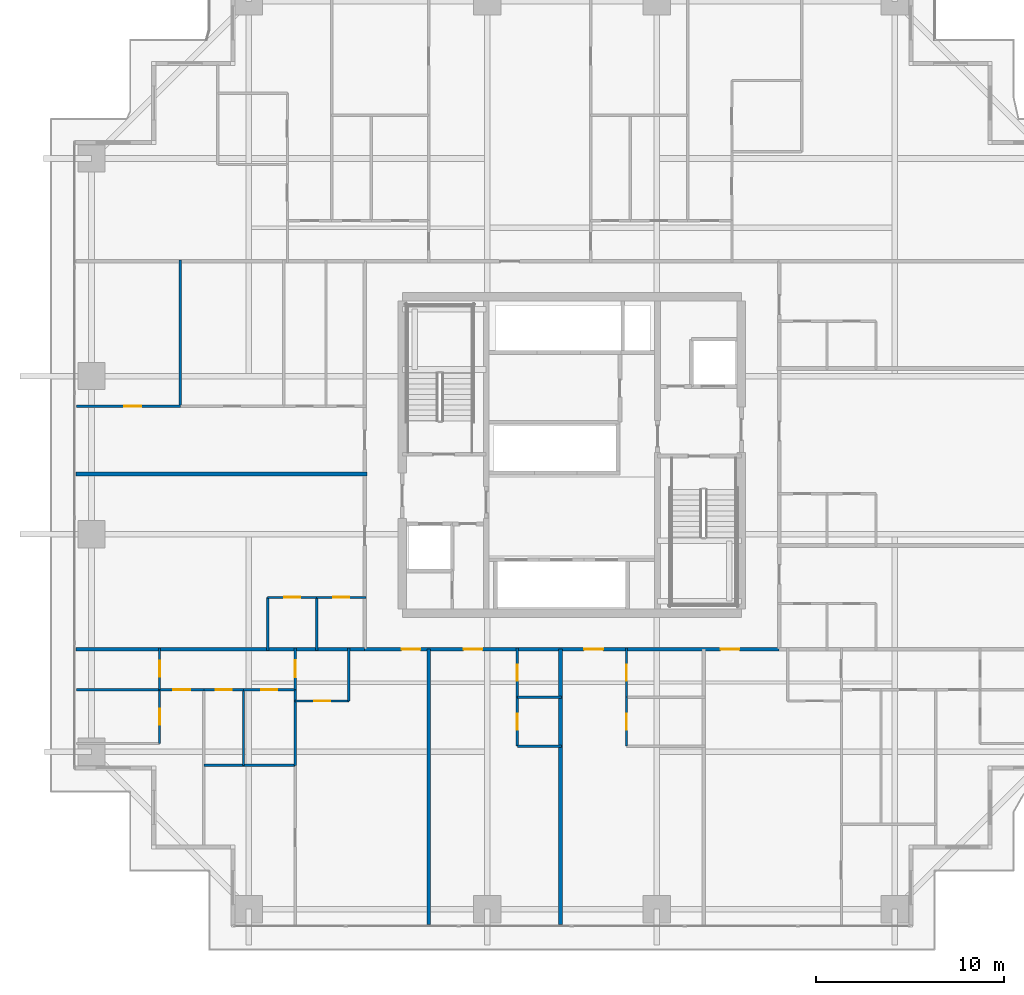
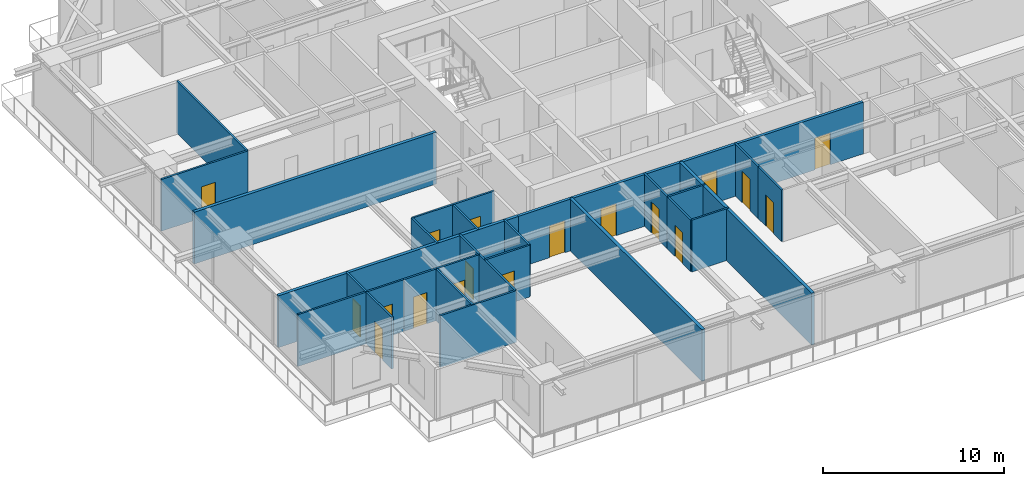
# One storey, part 27 of 38: 29 walls, 18 doors, 18 openings.
"""IFC4 building model written with IfcOpenShell, lengths in metres."""

from ifc_helpers import new_model, si_unit, direction, frame, frame_2d, origin, place, context, subcontext, project, spatial, rectangle, extrude, source, transform, mapped, material, layer, layer_set, type_object, element, fill, save


model = new_model("IFC4")

# Units and contexts
model_context = context("Model", 3, precision=1e-05, world=origin(), true_north=direction((0.0, 1.0)))
body_context = subcontext(model_context, "Body", "Model", "MODEL_VIEW")
ifc_project = project(units=[si_unit("LENGTHUNIT", "METRE"), si_unit("AREAUNIT", "SQUARE_METRE"), si_unit("VOLUMEUNIT", "CUBIC_METRE"), si_unit("PLANEANGLEUNIT", "RADIAN"), si_unit("MASSUNIT", "GRAM", prefix="KILO")], contexts=[model_context])

# Site, building, storey
site_placement = place(None, origin())
site = spatial("IfcSite", under=ifc_project, at=site_placement, CompositionType="ELEMENT")
building_placement = place(site_placement, origin())
building = spatial("IfcBuilding", under=site, at=building_placement, Name="Serunith Strait Residences", CompositionType="ELEMENT")
storey_placement = place(building_placement, frame((0.0, 0.0, 67.949951171875)))
storey = spatial("IfcBuildingStorey", under=building, at=storey_placement, Name="L16", CompositionType="ELEMENT", Elevation=67.949951171875)

# Wall, openings, doors
ifc_material_1 = material(Name="Fire-rated acoustic gypsum partition")
ifc_layer_1 = layer(ifc_material_1, 0.179931640625, Name="Fire-rated acoustic gypsum partition")
ifc_layer_set_1 = layer_set([ifc_layer_1], Name="Fire-rated acoustic gypsum partition")
wall_type_1 = type_object("IfcWallType", Name="IW-CORR-180", PredefinedType="PARTITIONING", material=ifc_layer_set_1)
wall_1_placement = place(storey_placement, frame((21.402099609375, 14.89990234375, 0.0), z_axis=(0.0, 0.0, 1.0), x_axis=(1.0, 0.0, 0.0)))
wall_1 = element("IfcWall", 1, at=wall_1_placement, inside=storey, type_object=wall_type_1, Name="L16 Partition Wall 024", PredefinedType="PARTITIONING", context=body_context, shape_type="SweptSolid", body=[
    extrude(rectangle(XDim=21.995849609375, YDim=0.179931640625, at=frame_2d((10.998046875, 0.0))), origin(), (0.0, 0.0, 1.0), 3.489990234375),
])
opening_1_placement = place(wall_1_placement, frame((1.9599609375, 0.0, 0.0)))
opening_1 = element("IfcOpeningElement", 2, at=opening_1_placement, cuts=wall_1, Name="Opening D-APT1000", PredefinedType="OPENING", context=body_context, shape_type="SweptSolid", body=[
    extrude(rectangle(XDim=1.0, YDim=2.14990234375, at=frame_2d((0.5, 1.074951171875))), frame((0.0, 0.10009765625, 0.0), z_axis=(0.0, -1.0, 0.0), x_axis=(1.0, 0.0, 0.0)), (0.0, 0.0, 1.0), 0.199951171875),
])
opening_2_placement = place(wall_1_placement, frame((5.2490234375, 0.0, 0.0)))
opening_2 = element("IfcOpeningElement", 3, at=opening_2_placement, cuts=wall_1, Name="Opening D-APT1000", PredefinedType="OPENING", context=body_context, shape_type="SweptSolid", body=[
    extrude(rectangle(XDim=1.0, YDim=2.14990234375, at=frame_2d((0.5, 1.074951171875))), frame((0.0, 0.10009765625, 0.0), z_axis=(0.0, -1.0, 0.0), x_axis=(1.0, 0.0, 0.0)), (0.0, 0.0, 1.0), 0.199951171875),
])
opening_3_placement = place(wall_1_placement, frame((11.653076171875, 0.0, 0.0)))
opening_3 = element("IfcOpeningElement", 4, at=opening_3_placement, cuts=wall_1, Name="Opening D-APT1000", PredefinedType="OPENING", context=body_context, shape_type="SweptSolid", body=[
    extrude(rectangle(XDim=1.0, YDim=2.14990234375, at=frame_2d((0.5, 1.074951171875))), frame((0.0, 0.10009765625, 0.0), z_axis=(0.0, -1.0, 0.0), x_axis=(1.0, 0.0, 0.0)), (0.0, 0.0, 1.0), 0.199951171875),
])
opening_4_placement = place(wall_1_placement, frame((18.89599609375, 0.0, 0.0)))
opening_4 = element("IfcOpeningElement", 5, at=opening_4_placement, cuts=wall_1, Name="Opening D-APT1000", PredefinedType="OPENING", context=body_context, shape_type="SweptSolid", body=[
    extrude(rectangle(XDim=1.0, YDim=2.14990234375, at=frame_2d((0.5, 1.074951171875))), frame((0.0, 0.10009765625, 0.0), z_axis=(0.0, -1.0, 0.0), x_axis=(1.0, 0.0, 0.0)), (0.0, 0.0, 1.0), 0.199951171875),
])
ifc_material_2 = material(Name="Solid timber engineered fire door", Category="wood")
door_type_1 = type_object("IfcDoorType", Name="ID-APT-1000", OperationType="NOTDEFINED", PredefinedType="DOOR", material=ifc_material_2)
shared_shape_1 = source(origin(), body_context, "Body", "SweptSolid", [
    extrude(rectangle(XDim=1.0, YDim=2.14990234375, at=frame_2d((0.5, 1.074951171875))), frame((0.0, 0.02490234375, 0.0), z_axis=(0.0, -1.0, 0.0), x_axis=(1.0, 0.0, 0.0)), (0.0, 0.0, 1.0), 0.050048828125),
])
door_1_placement = place(opening_1_placement, origin())
door_1 = element("IfcDoor", 6, at=door_1_placement, inside=storey, type_object=door_type_1, Name="L16 Unit 01 Entrance Door", OperationType="SINGLE_SWING_RIGHT", OverallHeight=2.14990234375, OverallWidth=1.0, PredefinedType="DOOR", context=body_context, shape_type="MappedRepresentation", body=[
    mapped(shared_shape_1, transform((0.0, 0.0, 0.0), scale=1.0)),
])
fill(opening_1, door_1)
door_2_placement = place(opening_2_placement, origin())
door_2 = element("IfcDoor", 7, at=door_2_placement, inside=storey, type_object=door_type_1, Name="L16 Unit 02 Entrance Door", OperationType="SINGLE_SWING_LEFT", OverallHeight=2.14990234375, OverallWidth=1.0, PredefinedType="DOOR", context=body_context, shape_type="MappedRepresentation", body=[
    mapped(shared_shape_1, transform((0.0, 0.0, 0.0), scale=1.0)),
])
fill(opening_2, door_2)
door_3_placement = place(opening_3_placement, origin())
door_3 = element("IfcDoor", 8, at=door_3_placement, inside=storey, type_object=door_type_1, Name="L16 Unit 03 Entrance Door", OperationType="SINGLE_SWING_RIGHT", OverallHeight=2.14990234375, OverallWidth=1.0, PredefinedType="DOOR", context=body_context, shape_type="MappedRepresentation", body=[
    mapped(shared_shape_1, transform((0.0, 0.0, 0.0), scale=1.0)),
])
fill(opening_3, door_3)
door_4_placement = place(opening_4_placement, origin())
door_4 = element("IfcDoor", 9, at=door_4_placement, inside=storey, type_object=door_type_1, Name="L16 Unit 04 Entrance Door", OperationType="SINGLE_SWING_LEFT", OverallHeight=2.14990234375, OverallWidth=1.0, PredefinedType="DOOR", context=body_context, shape_type="MappedRepresentation", body=[
    mapped(shared_shape_1, transform((0.0, 0.0, 0.0), scale=1.0)),
])
fill(opening_4, door_4)

# Wall, opening, door
ifc_material_3 = material(Name="Lightweight steel-stud gypsum partition", Category="steel")
ifc_layer_2 = layer(ifc_material_3, 0.1201171875, Name="Lightweight steel-stud gypsum partition")
ifc_layer_set_2 = layer_set([ifc_layer_2], Name="Lightweight steel-stud gypsum partition")
wall_type_2 = type_object("IfcWallType", Name="IW-PART-120", PredefinedType="PARTITIONING", material=ifc_layer_set_2)
wall_2_placement = place(storey_placement, frame((17.7099609375, 12.14990234375, 0.0), z_axis=(0.0, 0.0, 1.0), x_axis=(1.0, 0.0, 0.0)))
wall_2 = element("IfcWall", 10, at=wall_2_placement, inside=storey, type_object=wall_type_2, Name="L16 Partition Wall 028", PredefinedType="PARTITIONING", context=body_context, shape_type="SweptSolid", body=[
    extrude(rectangle(XDim=2.85009765625, YDim=0.1201171875, at=frame_2d((1.425048828125, 0.0))), origin(), (0.0, 0.0, 1.0), 3.489990234375),
])
opening_5_placement = place(wall_2_placement, frame((1.0, 0.0, 0.0)))
opening_5 = element("IfcOpeningElement", 11, at=opening_5_placement, cuts=wall_2, Name="Opening D-RM850", PredefinedType="OPENING", context=body_context, shape_type="SweptSolid", body=[
    extrude(rectangle(XDim=0.85009765625, YDim=2.10009765625, at=frame_2d((0.425048828125, 1.050048828125))), frame((0.0, 0.070068359375, 0.0), z_axis=(0.0, -1.0, 0.0), x_axis=(1.0, 0.0, 0.0)), (0.0, 0.0, 1.0), 0.14013671875),
])
ifc_material_4 = material(Name="Engineered timber flush study and kitchen door", Category="wood")
door_type_2 = type_object("IfcDoorType", Name="ID-ROOM-850", OperationType="NOTDEFINED", PredefinedType="DOOR", material=ifc_material_4)
shared_shape_2 = source(origin(), body_context, "Body", "SweptSolid", [
    extrude(rectangle(XDim=0.85009765625, YDim=2.10009765625, at=frame_2d((0.425048828125, 1.050048828125))), frame((0.0, 0.02490234375, 0.0), z_axis=(0.0, -1.0, 0.0), x_axis=(1.0, 0.0, 0.0)), (0.0, 0.0, 1.0), 0.050048828125),
])
door_5_placement = place(opening_5_placement, origin())
door_5 = element("IfcDoor", 12, at=door_5_placement, inside=storey, type_object=door_type_2, Name="L16 Kitchen 1601 Door", OperationType="SINGLE_SWING_RIGHT", OverallHeight=2.10009765625, OverallWidth=0.85009765625, PredefinedType="DOOR", context=body_context, shape_type="MappedRepresentation", body=[
    mapped(shared_shape_2, transform((0.0, 0.0, 0.0), scale=1.0)),
])
fill(opening_5, door_5)

# Wall
wall_3_placement = place(storey_placement, frame((20.56005859375, 12.14990234375, 0.0), z_axis=(0.0, 0.0, 1.0), x_axis=(0.0, 1.0, 0.0)))
element("IfcWall", 13, at=wall_3_placement, inside=storey, type_object=wall_type_2, Name="L16 Partition Wall 029", PredefinedType="PARTITIONING", context=body_context, shape_type="SweptSolid", body=[
    extrude(rectangle(XDim=2.81005859375, YDim=0.1201171875, at=frame_2d((1.405029296875, 0.0))), origin(), (0.0, 0.0, 1.0), 3.489990234375),
])

# Wall, opening, door
wall_4_placement = place(storey_placement, frame((17.7099609375, 12.75, 0.0), z_axis=(0.0, 0.0, 1.0), x_axis=(0.0, 1.0, 0.0)))
wall_4 = element("IfcWall", 14, at=wall_4_placement, inside=storey, type_object=wall_type_2, Name="L16 Partition Wall 030", PredefinedType="PARTITIONING", context=body_context, shape_type="SweptSolid", body=[
    extrude(rectangle(XDim=2.2099609375, YDim=0.1201171875, at=frame_2d((1.10498046875, 0.0))), origin(), (0.0, 0.0, 1.0), 3.489990234375),
])
opening_6_placement = place(wall_4_placement, frame((0.655029296875, 0.0, 0.0)))
opening_6 = element("IfcOpeningElement", 15, at=opening_6_placement, cuts=wall_4, Name="Opening D-RM900", PredefinedType="OPENING", context=body_context, shape_type="SweptSolid", body=[
    extrude(rectangle(XDim=0.89990234375, YDim=2.10009765625, at=frame_2d((0.449951171875, 1.050048828125))), frame((0.0, 0.070068359375, 0.0), z_axis=(0.0, -1.0, 0.0), x_axis=(1.0, 0.0, 0.0)), (0.0, 0.0, 1.0), 0.14013671875),
])
ifc_material_5 = material(Name="Engineered timber flush bedroom door", Category="wood")
door_type_3 = type_object("IfcDoorType", Name="ID-ROOM-900", OperationType="NOTDEFINED", PredefinedType="DOOR", material=ifc_material_5)
shared_shape_3 = source(origin(), body_context, "Body", "SweptSolid", [
    extrude(rectangle(XDim=0.89990234375, YDim=2.10009765625, at=frame_2d((0.449951171875, 1.050048828125))), frame((0.0, 0.02490234375, 0.0), z_axis=(0.0, -1.0, 0.0), x_axis=(1.0, 0.0, 0.0)), (0.0, 0.0, 1.0), 0.050048828125),
])
door_6_placement = place(opening_6_placement, origin())
door_6 = element("IfcDoor", 16, at=door_6_placement, inside=storey, type_object=door_type_3, Name="L16 Hall W 1601 Door", OperationType="SINGLE_SWING_LEFT", OverallHeight=2.10009765625, OverallWidth=0.89990234375, PredefinedType="DOOR", context=body_context, shape_type="MappedRepresentation", body=[
    mapped(shared_shape_3, transform((0.0, 0.0, 0.0), scale=1.0)),
])
fill(opening_6, door_6)

# Walls
wall_5_placement = place(storey_placement, frame((17.7099609375, 8.735107421875, 0.0), z_axis=(0.0, 0.0, 1.0), x_axis=(0.0, 1.0, 0.0)))
element("IfcWall", 17, at=wall_5_placement, inside=storey, type_object=wall_type_2, Name="L16 Partition Wall 032", PredefinedType="PARTITIONING", context=body_context, shape_type="SweptSolid", body=[
    extrude(rectangle(XDim=4.012939453125, YDim=0.1201171875, at=frame_2d((2.00634765625, 0.0))), origin(), (0.0, 0.0, 1.0), 3.489990234375),
])
wall_6_placement = place(storey_placement, frame((12.860107421875, 8.73291015625, 0.0), z_axis=(0.0, 0.0, 1.0), x_axis=(1.0, 0.0, 0.0)))
element("IfcWall", 18, at=wall_6_placement, inside=storey, type_object=wall_type_2, Name="L16 Partition Wall 033", PredefinedType="PARTITIONING", context=body_context, shape_type="SweptSolid", body=[
    extrude(rectangle(XDim=4.849853515625, YDim=0.1201171875, at=frame_2d((2.4248046875, 0.0))), origin(), (0.0, 0.0, 1.0), 3.489990234375),
])
wall_7_placement = place(storey_placement, frame((14.9599609375, 8.73291015625, 0.0), z_axis=(0.0, 0.0, 1.0), x_axis=(0.0, 1.0, 0.0)))
element("IfcWall", 19, at=wall_7_placement, inside=storey, type_object=wall_type_2, Name="L16 Partition Wall 035", PredefinedType="PARTITIONING", context=body_context, shape_type="SweptSolid", body=[
    extrude(rectangle(XDim=4.01708984375, YDim=0.1201171875, at=frame_2d((2.008544921875, 0.0))), origin(), (0.0, 0.0, 1.0), 3.489990234375),
])

# Wall, opening, door
wall_8_placement = place(storey_placement, frame((12.860107421875, 12.75, 0.0), z_axis=(0.0, 0.0, 1.0), x_axis=(1.0, 0.0, 0.0)))
wall_8 = element("IfcWall", 20, at=wall_8_placement, inside=storey, type_object=wall_type_2, Name="L16 Partition Wall 036", PredefinedType="PARTITIONING", context=body_context, shape_type="SweptSolid", body=[
    extrude(rectangle(XDim=2.099853515625, YDim=0.1201171875, at=frame_2d((1.0498046875, 0.0))), origin(), (0.0, 0.0, 1.0), 3.489990234375),
])
opening_7_placement = place(wall_8_placement, frame((0.625, 0.0, 0.0)))
opening_7 = element("IfcOpeningElement", 21, at=opening_7_placement, cuts=wall_8, Name="Opening D-BTH850", PredefinedType="OPENING", context=body_context, shape_type="SweptSolid", body=[
    extrude(rectangle(XDim=0.85009765625, YDim=2.10009765625, at=frame_2d((0.425048828125, 1.050048828125))), frame((0.0, 0.070068359375, 0.0), z_axis=(0.0, -1.0, 0.0), x_axis=(1.0, 0.0, 0.0)), (0.0, 0.0, 1.0), 0.14013671875),
])
ifc_material_6 = material(Name="Moisture-resistant timber bathroom door", Category="wood")
door_type_4 = type_object("IfcDoorType", Name="ID-BATH-850", OperationType="NOTDEFINED", PredefinedType="DOOR", material=ifc_material_6)
door_7_placement = place(opening_7_placement, origin())
door_7 = element("IfcDoor", 22, at=door_7_placement, inside=storey, type_object=door_type_4, Name="L16 Bathroom 1601 Door", OperationType="SINGLE_SWING_LEFT", OverallHeight=2.10009765625, OverallWidth=0.85009765625, PredefinedType="DOOR", context=body_context, shape_type="MappedRepresentation", body=[
    mapped(shared_shape_2, transform((0.0, 0.0, 0.0), scale=1.0)),
])
fill(opening_7, door_7)

wall_9_placement = place(storey_placement, frame((14.9619140625, 12.75, 0.0), z_axis=(0.0, 0.0, 1.0), x_axis=(1.0, 0.0, 0.0)))
wall_9 = element("IfcWall", 23, at=wall_9_placement, inside=storey, type_object=wall_type_2, Name="L16 Partition Wall 037", PredefinedType="PARTITIONING", context=body_context, shape_type="SweptSolid", body=[
    extrude(rectangle(XDim=2.748046875, YDim=0.1201171875, at=frame_2d((1.3740234375, 0.0))), origin(), (0.0, 0.0, 1.0), 3.489990234375),
])
opening_8_placement = place(wall_9_placement, frame((0.948974609375, 0.0, 0.0)))
opening_8 = element("IfcOpeningElement", 24, at=opening_8_placement, cuts=wall_9, Name="Opening D-RM850", PredefinedType="OPENING", context=body_context, shape_type="SweptSolid", body=[
    extrude(rectangle(XDim=0.85009765625, YDim=2.10009765625, at=frame_2d((0.425048828125, 1.050048828125))), frame((0.0, 0.070068359375, 0.0), z_axis=(0.0, -1.0, 0.0), x_axis=(1.0, 0.0, 0.0)), (0.0, 0.0, 1.0), 0.14013671875),
])
door_8_placement = place(opening_8_placement, origin())
door_8 = element("IfcDoor", 25, at=door_8_placement, inside=storey, type_object=door_type_2, Name="L16 Formal Dining Room 1601 Door", OperationType="SINGLE_SWING_RIGHT", OverallHeight=2.10009765625, OverallWidth=0.85009765625, PredefinedType="DOOR", context=body_context, shape_type="MappedRepresentation", body=[
    mapped(shared_shape_2, transform((0.0, 0.0, 0.0), scale=1.0)),
])
fill(opening_8, door_8)

wall_10_placement = place(storey_placement, frame((10.510009765625, 12.75, 0.0), z_axis=(0.0, 0.0, 1.0), x_axis=(1.0, 0.0, 0.0)))
wall_10 = element("IfcWall", 26, at=wall_10_placement, inside=storey, type_object=wall_type_2, Name="L16 Partition Wall 038", PredefinedType="PARTITIONING", context=body_context, shape_type="SweptSolid", body=[
    extrude(rectangle(XDim=2.347900390625, YDim=0.1201171875, at=frame_2d((1.173828125, 0.0))), origin(), (0.0, 0.0, 1.0), 3.489990234375),
])
opening_9_placement = place(wall_10_placement, frame((0.72412109375, 0.0, 0.0)))
opening_9 = element("IfcOpeningElement", 27, at=opening_9_placement, cuts=wall_10, Name="Opening D-RM900", PredefinedType="OPENING", context=body_context, shape_type="SweptSolid", body=[
    extrude(rectangle(XDim=0.89990234375, YDim=2.10009765625, at=frame_2d((0.449951171875, 1.050048828125))), frame((0.0, 0.070068359375, 0.0), z_axis=(0.0, -1.0, 0.0), x_axis=(1.0, 0.0, 0.0)), (0.0, 0.0, 1.0), 0.14013671875),
])
door_9_placement = place(opening_9_placement, origin())
door_9 = element("IfcDoor", 28, at=door_9_placement, inside=storey, type_object=door_type_3, Name="L16 Master Bedroom W 1601 Door", OperationType="SINGLE_SWING_LEFT", OverallHeight=2.10009765625, OverallWidth=0.89990234375, PredefinedType="DOOR", context=body_context, shape_type="MappedRepresentation", body=[
    mapped(shared_shape_3, transform((0.0, 0.0, 0.0), scale=1.0)),
])
fill(opening_9, door_9)

# Wall
wall_11_placement = place(storey_placement, frame((6.094970703125, 12.75, 0.0), z_axis=(0.0, 0.0, 1.0), x_axis=(1.0, 0.0, 0.0)))
element("IfcWall", 29, at=wall_11_placement, inside=storey, type_object=wall_type_2, Name="L16 Partition Wall 040", PredefinedType="PARTITIONING", context=body_context, shape_type="SweptSolid", body=[
    extrude(rectangle(XDim=4.4130859375, YDim=0.1201171875, at=frame_2d((2.20654296875, 0.0))), origin(), (0.0, 0.0, 1.0), 3.489990234375),
])

# Wall, opening, door
wall_12_placement = place(storey_placement, frame((10.510009765625, 9.89404296875, 0.0), z_axis=(0.0, 0.0, 1.0), x_axis=(0.0, 1.0, 0.0)))
wall_12 = element("IfcWall", 30, at=wall_12_placement, inside=storey, type_object=wall_type_2, Name="L16 Partition Wall 041", PredefinedType="PARTITIONING", context=body_context, shape_type="SweptSolid", body=[
    extrude(rectangle(XDim=2.85595703125, YDim=0.1201171875, at=frame_2d((1.427978515625, 0.0))), origin(), (0.0, 0.0, 1.0), 3.489990234375),
])
opening_10_placement = place(wall_12_placement, frame((1.0029296875, 0.0, 0.0)))
opening_10 = element("IfcOpeningElement", 31, at=opening_10_placement, cuts=wall_12, Name="Opening D-BTH850", PredefinedType="OPENING", context=body_context, shape_type="SweptSolid", body=[
    extrude(rectangle(XDim=0.85009765625, YDim=2.10009765625, at=frame_2d((0.425048828125, 1.050048828125))), frame((0.0, 0.070068359375, 0.0), z_axis=(0.0, -1.0, 0.0), x_axis=(1.0, 0.0, 0.0)), (0.0, 0.0, 1.0), 0.14013671875),
])
door_10_placement = place(opening_10_placement, origin())
door_10 = element("IfcDoor", 32, at=door_10_placement, inside=storey, type_object=door_type_4, Name="L16 En-suite Bathroom W 1601 Door", OperationType="SINGLE_SWING_RIGHT", OverallHeight=2.10009765625, OverallWidth=0.85009765625, PredefinedType="DOOR", context=body_context, shape_type="MappedRepresentation", body=[
    mapped(shared_shape_2, transform((0.0, 0.0, 0.0), scale=1.0)),
])
fill(opening_10, door_10)

wall_13_placement = place(storey_placement, frame((10.510009765625, 12.751953125, 0.0), z_axis=(0.0, 0.0, 1.0), x_axis=(0.0, 1.0, 0.0)))
wall_13 = element("IfcWall", 33, at=wall_13_placement, inside=storey, type_object=wall_type_2, Name="L16 Partition Wall 042", PredefinedType="PARTITIONING", context=body_context, shape_type="SweptSolid", body=[
    extrude(rectangle(XDim=2.2080078125, YDim=0.1201171875, at=frame_2d((1.10400390625, 0.0))), origin(), (0.0, 0.0, 1.0), 3.489990234375),
])
opening_11_placement = place(wall_13_placement, frame((0.678955078125, 0.0, 0.0)))
opening_11 = element("IfcOpeningElement", 34, at=opening_11_placement, cuts=wall_13, Name="Opening D-RM850", PredefinedType="OPENING", context=body_context, shape_type="SweptSolid", body=[
    extrude(rectangle(XDim=0.85009765625, YDim=2.10009765625, at=frame_2d((0.425048828125, 1.050048828125))), frame((0.0, 0.070068359375, 0.0), z_axis=(0.0, -1.0, 0.0), x_axis=(1.0, 0.0, 0.0)), (0.0, 0.0, 1.0), 0.14013671875),
])
door_11_placement = place(opening_11_placement, origin())
door_11 = element("IfcDoor", 35, at=door_11_placement, inside=storey, type_object=door_type_2, Name="L16 Wardrobe W 1601 Door", OperationType="SINGLE_SWING_LEFT", OverallHeight=2.10009765625, OverallWidth=0.85009765625, PredefinedType="DOOR", context=body_context, shape_type="MappedRepresentation", body=[
    mapped(shared_shape_2, transform((0.0, 0.0, 0.0), scale=1.0)),
])
fill(opening_11, door_11)

wall_14_placement = place(storey_placement, frame((29.5, 9.75, 0.0), z_axis=(0.0, 0.0, 1.0), x_axis=(0.0, 1.0, 0.0)))
wall_14 = element("IfcWall", 36, at=wall_14_placement, inside=storey, type_object=wall_type_2, Name="L16 Partition Wall 043", PredefinedType="PARTITIONING", context=body_context, shape_type="SweptSolid", body=[
    extrude(rectangle(XDim=2.60009765625, YDim=0.1201171875, at=frame_2d((1.300048828125, 0.0))), origin(), (0.0, 0.0, 1.0), 3.489990234375),
])
opening_12_placement = place(wall_14_placement, frame((0.875, 0.0, 0.0)))
opening_12 = element("IfcOpeningElement", 37, at=opening_12_placement, cuts=wall_14, Name="Opening D-RM850", PredefinedType="OPENING", context=body_context, shape_type="SweptSolid", body=[
    extrude(rectangle(XDim=0.85009765625, YDim=2.10009765625, at=frame_2d((0.425048828125, 1.050048828125))), frame((0.0, 0.070068359375, 0.0), z_axis=(0.0, -1.0, 0.0), x_axis=(1.0, 0.0, 0.0)), (0.0, 0.0, 1.0), 0.14013671875),
])
door_12_placement = place(opening_12_placement, origin())
door_12 = element("IfcDoor", 38, at=door_12_placement, inside=storey, type_object=door_type_2, Name="L16 Kitchen 1602 Door", OperationType="SINGLE_SWING_RIGHT", OverallHeight=2.10009765625, OverallWidth=0.85009765625, PredefinedType="DOOR", context=body_context, shape_type="MappedRepresentation", body=[
    mapped(shared_shape_2, transform((0.0, 0.0, 0.0), scale=1.0)),
])
fill(opening_12, door_12)

wall_15_placement = place(storey_placement, frame((29.5, 12.35205078125, 0.0), z_axis=(0.0, 0.0, 1.0), x_axis=(0.0, 1.0, 0.0)))
wall_15 = element("IfcWall", 39, at=wall_15_placement, inside=storey, type_object=wall_type_2, Name="L16 Partition Wall 044", PredefinedType="PARTITIONING", context=body_context, shape_type="SweptSolid", body=[
    extrude(rectangle(XDim=2.60791015625, YDim=0.1201171875, at=frame_2d((1.303955078125, 0.0))), origin(), (0.0, 0.0, 1.0), 3.489990234375),
])
opening_13_placement = place(wall_15_placement, frame((0.87890625, 0.0, 0.0)))
opening_13 = element("IfcOpeningElement", 40, at=opening_13_placement, cuts=wall_15, Name="Opening D-BTH850", PredefinedType="OPENING", context=body_context, shape_type="SweptSolid", body=[
    extrude(rectangle(XDim=0.85009765625, YDim=2.10009765625, at=frame_2d((0.425048828125, 1.050048828125))), frame((0.0, 0.070068359375, 0.0), z_axis=(0.0, -1.0, 0.0), x_axis=(1.0, 0.0, 0.0)), (0.0, 0.0, 1.0), 0.14013671875),
])
door_13_placement = place(opening_13_placement, origin())
door_13 = element("IfcDoor", 41, at=door_13_placement, inside=storey, type_object=door_type_4, Name="L16 Bathroom 1602 Door", OperationType="SINGLE_SWING_LEFT", OverallHeight=2.10009765625, OverallWidth=0.85009765625, PredefinedType="DOOR", context=body_context, shape_type="MappedRepresentation", body=[
    mapped(shared_shape_2, transform((0.0, 0.0, 0.0), scale=1.0)),
])
fill(opening_13, door_13)

# Walls
for number, where, z_axis, x_axis, name in (
    (42, (29.5, 12.35009765625, 0.0), (0.0, 0.0, 1.0), (1.0, 0.0, 0.0), "L16 Partition Wall 045"),
    (43, (29.5, 9.75, 0.0), (0.0, 0.0, 1.0), (1.0, 0.0, 0.0), "L16 Partition Wall 046"),
):
    element("IfcWall", number, at=place(storey_placement, frame(where, z_axis=z_axis, x_axis=x_axis)), inside=storey, type_object=wall_type_2, Name=name, PredefinedType="PARTITIONING", context=body_context, shape_type="SweptSolid", body=[
        extrude(rectangle(XDim=2.360107421875, YDim=0.1201171875, at=frame_2d((1.18017578125, 0.0))), origin(), (0.0, 0.0, 1.0), 3.489990234375),
    ])

# Wall, opening, door
wall_16_placement = place(storey_placement, frame((35.300048828125, 9.75, 0.0), z_axis=(0.0, 0.0, 1.0), x_axis=(0.0, 1.0, 0.0)))
wall_16 = element("IfcWall", 44, at=wall_16_placement, inside=storey, type_object=wall_type_2, Name="L16 Partition Wall 047", PredefinedType="PARTITIONING", context=body_context, shape_type="SweptSolid", body=[
    extrude(rectangle(XDim=2.60009765625, YDim=0.1201171875, at=frame_2d((1.300048828125, 0.0))), origin(), (0.0, 0.0, 1.0), 3.489990234375),
])
opening_14_placement = place(wall_16_placement, frame((0.875, 0.0, 0.0)))
opening_14 = element("IfcOpeningElement", 45, at=opening_14_placement, cuts=wall_16, Name="Opening D-RM850", PredefinedType="OPENING", context=body_context, shape_type="SweptSolid", body=[
    extrude(rectangle(XDim=0.85009765625, YDim=2.10009765625, at=frame_2d((0.425048828125, 1.050048828125))), frame((0.0, 0.070068359375, 0.0), z_axis=(0.0, -1.0, 0.0), x_axis=(1.0, 0.0, 0.0)), (0.0, 0.0, 1.0), 0.14013671875),
])
door_14_placement = place(opening_14_placement, origin())
door_14 = element("IfcDoor", 46, at=door_14_placement, inside=storey, type_object=door_type_2, Name="L16 Kitchen 1603 Door", OperationType="SINGLE_SWING_RIGHT", OverallHeight=2.10009765625, OverallWidth=0.85009765625, PredefinedType="DOOR", context=body_context, shape_type="MappedRepresentation", body=[
    mapped(shared_shape_2, transform((0.0, 0.0, 0.0), scale=1.0)),
])
fill(opening_14, door_14)

wall_17_placement = place(storey_placement, frame((35.300048828125, 12.35205078125, 0.0), z_axis=(0.0, 0.0, 1.0), x_axis=(0.0, 1.0, 0.0)))
wall_17 = element("IfcWall", 47, at=wall_17_placement, inside=storey, type_object=wall_type_2, Name="L16 Partition Wall 048", PredefinedType="PARTITIONING", context=body_context, shape_type="SweptSolid", body=[
    extrude(rectangle(XDim=2.60791015625, YDim=0.1201171875, at=frame_2d((1.303955078125, 0.0))), origin(), (0.0, 0.0, 1.0), 3.489990234375),
])
opening_15_placement = place(wall_17_placement, frame((0.87890625, 0.0, 0.0)))
opening_15 = element("IfcOpeningElement", 48, at=opening_15_placement, cuts=wall_17, Name="Opening D-BTH850", PredefinedType="OPENING", context=body_context, shape_type="SweptSolid", body=[
    extrude(rectangle(XDim=0.85009765625, YDim=2.10009765625, at=frame_2d((0.425048828125, 1.050048828125))), frame((0.0, 0.070068359375, 0.0), z_axis=(0.0, -1.0, 0.0), x_axis=(1.0, 0.0, 0.0)), (0.0, 0.0, 1.0), 0.14013671875),
])
door_15_placement = place(opening_15_placement, origin())
door_15 = element("IfcDoor", 49, at=door_15_placement, inside=storey, type_object=door_type_4, Name="L16 Bathroom 1603 Door", OperationType="SINGLE_SWING_LEFT", OverallHeight=2.10009765625, OverallWidth=0.85009765625, PredefinedType="DOOR", context=body_context, shape_type="MappedRepresentation", body=[
    mapped(shared_shape_2, transform((0.0, 0.0, 0.0), scale=1.0)),
])
fill(opening_15, door_15)

wall_18_placement = place(storey_placement, frame((16.25, 17.64990234375, 0.0), z_axis=(0.0, 0.0, 1.0), x_axis=(1.0, 0.0, 0.0)))
wall_18 = element("IfcWall", 50, at=wall_18_placement, inside=storey, type_object=wall_type_2, Name="L16 Partition Wall 096", PredefinedType="PARTITIONING", context=body_context, shape_type="SweptSolid", body=[
    extrude(rectangle(XDim=2.60009765625, YDim=0.1201171875, at=frame_2d((1.300048828125, 0.0))), origin(), (0.0, 0.0, 1.0), 3.489990234375),
])
opening_16_placement = place(wall_18_placement, frame((0.875, 0.0, 0.0)))
opening_16 = element("IfcOpeningElement", 51, at=opening_16_placement, cuts=wall_18, Name="Opening D-RM850", PredefinedType="OPENING", context=body_context, shape_type="SweptSolid", body=[
    extrude(rectangle(XDim=0.85009765625, YDim=2.10009765625, at=frame_2d((0.425048828125, 1.050048828125))), frame((0.0, 0.070068359375, 0.0), z_axis=(0.0, -1.0, 0.0), x_axis=(1.0, 0.0, 0.0)), (0.0, 0.0, 1.0), 0.14013671875),
])
door_16_placement = place(opening_16_placement, origin())
door_16 = element("IfcDoor", 52, at=door_16_placement, inside=storey, type_object=door_type_2, Name="L16 Kitchen 1606 Door", OperationType="SINGLE_SWING_RIGHT", OverallHeight=2.10009765625, OverallWidth=0.85009765625, PredefinedType="DOOR", context=body_context, shape_type="MappedRepresentation", body=[
    mapped(shared_shape_2, transform((0.0, 0.0, 0.0), scale=1.0)),
])
fill(opening_16, door_16)

wall_19_placement = place(storey_placement, frame((18.85205078125, 17.64990234375, 0.0), z_axis=(0.0, 0.0, 1.0), x_axis=(1.0, 0.0, 0.0)))
wall_19 = element("IfcWall", 53, at=wall_19_placement, inside=storey, type_object=wall_type_2, Name="L16 Partition Wall 097", PredefinedType="PARTITIONING", context=body_context, shape_type="SweptSolid", body=[
    extrude(rectangle(XDim=2.60791015625, YDim=0.1201171875, at=frame_2d((1.303955078125, 0.0))), origin(), (0.0, 0.0, 1.0), 3.489990234375),
])
opening_17_placement = place(wall_19_placement, frame((0.87890625, 0.0, 0.0)))
opening_17 = element("IfcOpeningElement", 54, at=opening_17_placement, cuts=wall_19, Name="Opening D-BTH850", PredefinedType="OPENING", context=body_context, shape_type="SweptSolid", body=[
    extrude(rectangle(XDim=0.85009765625, YDim=2.10009765625, at=frame_2d((0.425048828125, 1.050048828125))), frame((0.0, 0.070068359375, 0.0), z_axis=(0.0, -1.0, 0.0), x_axis=(1.0, 0.0, 0.0)), (0.0, 0.0, 1.0), 0.14013671875),
])
door_17_placement = place(opening_17_placement, origin())
door_17 = element("IfcDoor", 55, at=door_17_placement, inside=storey, type_object=door_type_4, Name="L16 Bathroom 1606 Door", OperationType="SINGLE_SWING_LEFT", OverallHeight=2.10009765625, OverallWidth=0.85009765625, PredefinedType="DOOR", context=body_context, shape_type="MappedRepresentation", body=[
    mapped(shared_shape_2, transform((0.0, 0.0, 0.0), scale=1.0)),
])
fill(opening_17, door_17)

# Walls
for number, where, z_axis, x_axis, name in (
    (56, (18.85009765625, 14.840087890625, 0.0), (0.0, 0.0, 1.0), (0.0, 1.0, 0.0), "L16 Partition Wall 098"),
    (57, (16.25, 14.840087890625, 0.0), (0.0, 0.0, 1.0), (0.0, 1.0, 0.0), "L16 Partition Wall 099"),
):
    element("IfcWall", number, at=place(storey_placement, frame(where, z_axis=z_axis, x_axis=x_axis)), inside=storey, type_object=wall_type_2, Name=name, PredefinedType="PARTITIONING", context=body_context, shape_type="SweptSolid", body=[
        extrude(rectangle(XDim=2.809814453125, YDim=0.1201171875, at=frame_2d((1.40478515625, 0.0))), origin(), (0.0, 0.0, 1.0), 3.489990234375),
    ])

# Wall, opening, door
wall_20_placement = place(storey_placement, frame((6.094970703125, 27.800048828125, 0.0), z_axis=(0.0, 0.0, 1.0), x_axis=(1.0, 0.0, 0.0)))
wall_20 = element("IfcWall", 58, at=wall_20_placement, inside=storey, type_object=wall_type_2, Name="L16 Partition Wall 100", PredefinedType="PARTITIONING", context=body_context, shape_type="SweptSolid", body=[
    extrude(rectangle(XDim=5.513916015625, YDim=0.1201171875, at=frame_2d((2.7568359375, 0.0))), origin(), (0.0, 0.0, 1.0), 3.489990234375),
])
opening_18_placement = place(wall_20_placement, frame((2.5380859375, 0.0, 0.0)))
opening_18 = element("IfcOpeningElement", 59, at=opening_18_placement, cuts=wall_20, Name="Opening D-RM900", PredefinedType="OPENING", context=body_context, shape_type="SweptSolid", body=[
    extrude(rectangle(XDim=0.89990234375, YDim=2.10009765625, at=frame_2d((0.449951171875, 1.050048828125))), frame((0.0, 0.070068359375, 0.0), z_axis=(0.0, -1.0, 0.0), x_axis=(1.0, 0.0, 0.0)), (0.0, 0.0, 1.0), 0.14013671875),
])
door_18_placement = place(opening_18_placement, origin())
door_18 = element("IfcDoor", 60, at=door_18_placement, inside=storey, type_object=door_type_3, Name="L16 Master Bedroom 1 1607 Door", OperationType="SINGLE_SWING_RIGHT", OverallHeight=2.10009765625, OverallWidth=0.89990234375, PredefinedType="DOOR", context=body_context, shape_type="MappedRepresentation", body=[
    mapped(shared_shape_3, transform((0.0, 0.0, 0.0), scale=1.0)),
])
fill(opening_18, door_18)

# Walls
wall_21_placement = place(storey_placement, frame((11.60888671875, 27.800048828125, 0.0), z_axis=(0.0, 0.0, 1.0), x_axis=(0.0, 1.0, 0.0)))
element("IfcWall", 61, at=wall_21_placement, inside=storey, type_object=wall_type_2, Name="L16 Partition Wall 101", PredefinedType="PARTITIONING", context=body_context, shape_type="SweptSolid", body=[
    extrude(rectangle(XDim=7.760009765625, YDim=0.1201171875, at=frame_2d((3.8798828125, 0.0))), origin(), (0.0, 0.0, 1.0), 3.489990234375),
])
ifc_material_7 = material(Name="Twin-stud acoustic gypsum board partition")
ifc_layer_3 = layer(ifc_material_7, 0.199951171875, Name="Twin-stud acoustic gypsum board partition")
ifc_layer_set_3 = layer_set([ifc_layer_3], Name="Twin-stud acoustic gypsum board partition")
wall_type_3 = type_object("IfcWallType", Name="IW-PARTY-200", PredefinedType="PARTITIONING", material=ifc_layer_set_3)
for number, where, z_axis, x_axis, name in (
    (62, (24.800048828125, 0.281982421875, 0.0), (0.0, 0.0, 1.0), (0.0, 1.0, 0.0), "L16 Partition Wall 014"),
    (63, (31.800048828125, 0.281982421875, 0.0), (0.0, 0.0, 1.0), (0.0, 1.0, 0.0), "L16 Partition Wall 015"),
):
    element("IfcWall", number, at=place(storey_placement, frame(where, z_axis=z_axis, x_axis=x_axis)), inside=storey, type_object=wall_type_3, Name=name, PredefinedType="PARTITIONING", context=body_context, shape_type="SweptSolid", body=[
        extrude(rectangle(XDim=14.617919921875, YDim=0.199951171875, at=frame_2d((7.30908203125, 0.0))), origin(), (0.0, 0.0, 1.0), 3.489990234375),
    ])
wall_22_placement = place(storey_placement, frame((6.08203125, 24.199951171875, 0.0), z_axis=(0.0, 0.0, 1.0), x_axis=(1.0, 0.0, 0.0)))
element("IfcWall", 64, at=wall_22_placement, inside=storey, type_object=wall_type_3, Name="L16 Partition Wall 017", PredefinedType="PARTITIONING", context=body_context, shape_type="SweptSolid", body=[
    extrude(rectangle(XDim=15.43798828125, YDim=0.199951171875, at=frame_2d((7.718994140625, 0.0))), origin(), (0.0, 0.0, 1.0), 3.489990234375),
])
wall_23_placement = place(storey_placement, frame((6.08203125, 14.89990234375, 0.0), z_axis=(0.0, 0.0, 1.0), x_axis=(1.0, 0.0, 0.0)))
element("IfcWall", 65, at=wall_23_placement, inside=storey, type_object=wall_type_3, Name="L16 Partition Wall 020", PredefinedType="PARTITIONING", context=body_context, shape_type="SweptSolid", body=[
    extrude(rectangle(XDim=15.31787109375, YDim=0.199951171875, at=frame_2d((7.658935546875, 0.0))), origin(), (0.0, 0.0, 1.0), 3.489990234375),
])

save(model, "model.ifc")
